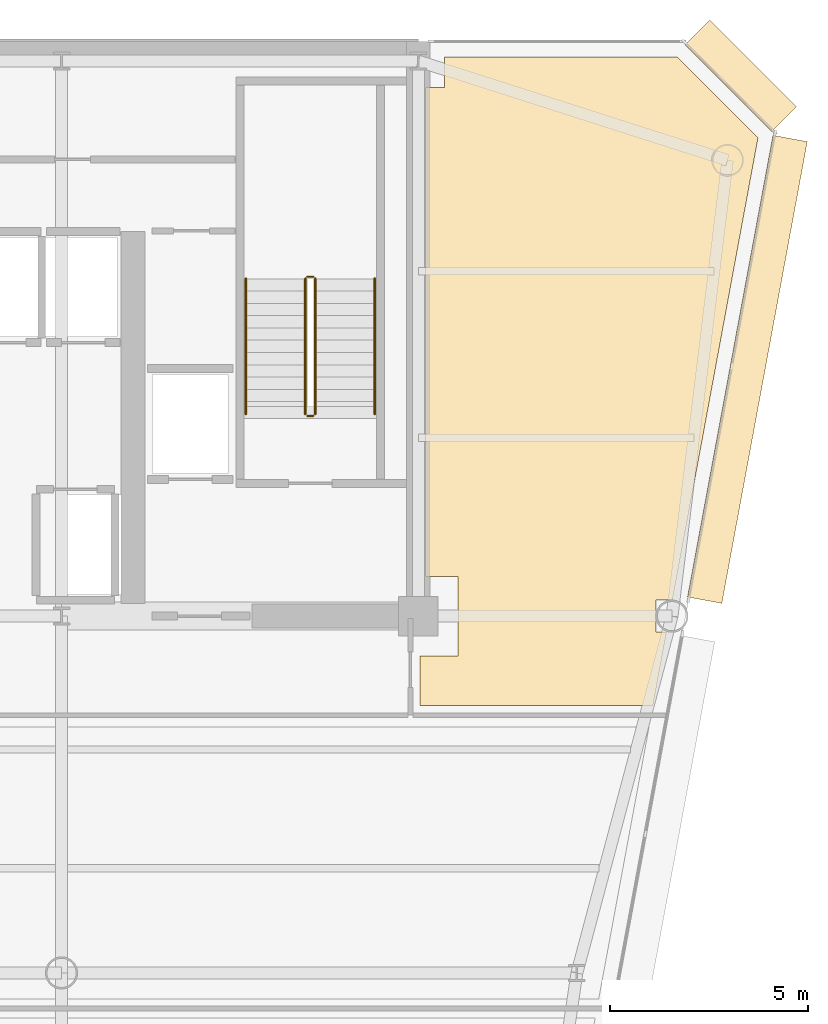
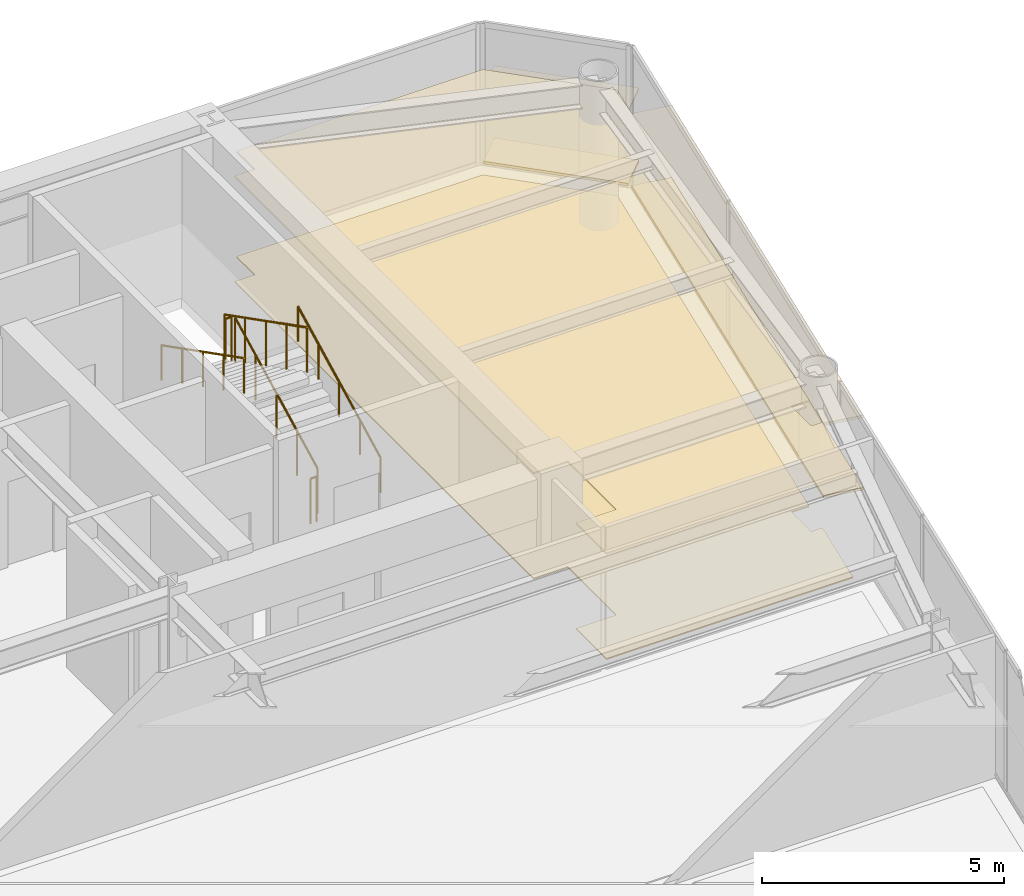
# One storey, part 16 of 16: 6 coverings, 6 railings.
"""IFC4 building model written with IfcOpenShell, lengths in metres."""

from ifc_helpers import new_model, si_unit, direction, frame, origin, origin_2d, place, context, subcontext, project, spatial, polyline, rectangle, circle, outline, extrude, source, transform, mapped, material, layer, layer_set, type_object, element, save


model = new_model("IFC4")

# Units and contexts
model_context = context("Model", 3, precision=1e-05, world=origin(), true_north=direction((0.0, 1.0)))
body_context = subcontext(model_context, "Body", "Model", "MODEL_VIEW")
ifc_project = project(units=[si_unit("LENGTHUNIT", "METRE"), si_unit("AREAUNIT", "SQUARE_METRE"), si_unit("VOLUMEUNIT", "CUBIC_METRE"), si_unit("PLANEANGLEUNIT", "RADIAN"), si_unit("MASSUNIT", "GRAM", prefix="KILO")], contexts=[model_context])

# Site, building, storey
site_placement = place(None, origin())
site = spatial("IfcSite", under=ifc_project, at=site_placement, CompositionType="ELEMENT")
building_placement = place(site_placement, origin())
building = spatial("IfcBuilding", under=site, at=building_placement, Name="Vaeldorn Concourse Tower", CompositionType="ELEMENT")
storey_placement = place(building_placement, frame((0.0, 0.0, 223.199951171875)))
storey = spatial("IfcBuildingStorey", under=building, at=storey_placement, Name="L57", CompositionType="ELEMENT", Elevation=223.199951171875)

# Coverings
ifc_material_1 = material(Name="Acoustic Mineral Fibre Board", Category="gypsum")
ifc_layer_1 = layer(ifc_material_1, 0.0400390625)
ifc_layer_set_1 = layer_set([ifc_layer_1], Name="Acoustic Mineral Fibre Board")
covering_type_1 = type_object("IfcCoveringType", Name="COV-CEIL-ACOUSTIC", PredefinedType="CEILING", material=ifc_layer_set_1)
covering_1_placement = place(storey_placement, frame((0.0, 0.0, 2.650146484375)))
element("IfcCovering", 1, at=covering_1_placement, inside=storey, type_object=covering_type_1, Name="Suspended Acoustic Ceiling L57-4", PredefinedType="CEILING", context=body_context, shape_type="SweptSolid", body=[
    extrude(outline(polyline([(54.179931640625, 49.840087890625), (54.659912109375, 49.840087890625), (54.659912109375, 50.60009765625), (60.5341796875, 50.60009765625), (62.568359375, 48.56591796875), (60.48828125, 37.320068359375), (60.48828125, 37.320068359375), (60.41162109375, 36.906494140625), (59.993408203125, 36.906494140625), (59.993408203125, 36.093505859375), (60.26123046875, 36.093505859375), (59.91845703125, 34.239990234375), (54.0400390625, 34.239990234375), (54.0400390625, 35.5), (55.0, 35.5), (55.0, 37.5), (54.179931640625, 37.5), (54.179931640625, 49.840087890625)])), origin(), (0.0, 0.0, 1.0), 0.039794921875),
])
ifc_material_2 = material(Name="Honed Limestone Terrazzo Flooring", Category="masonry")
ifc_layer_2 = layer(ifc_material_2, 0.0400390625)
ifc_layer_set_2 = layer_set([ifc_layer_2], Name="Honed Limestone Terrazzo Flooring")
covering_type_2 = type_object("IfcCoveringType", Name="COV-FLOOR-STONE", PredefinedType="FLOORING", material=ifc_layer_set_2)
covering_2_placement = place(storey_placement, origin())
element("IfcCovering", 2, at=covering_2_placement, inside=storey, type_object=covering_type_2, Name="Floor Finish Covering L57-4", PredefinedType="FLOORING", context=body_context, shape_type="SweptSolid", body=[
    extrude(outline(polyline([(54.179931640625, 49.840087890625), (54.659912109375, 49.840087890625), (54.659912109375, 50.60009765625), (60.5341796875, 50.60009765625), (62.568359375, 48.56591796875), (60.48828125, 37.320068359375), (60.48828125, 37.320068359375), (60.41162109375, 36.906494140625), (59.993408203125, 36.906494140625), (59.993408203125, 36.093505859375), (60.26123046875, 36.093505859375), (59.91845703125, 34.239990234375), (54.0400390625, 34.239990234375), (54.0400390625, 35.5), (55.0, 35.5), (55.0, 37.5), (54.179931640625, 37.5), (54.179931640625, 49.840087890625)])), origin(), (0.0, 0.0, 1.0), 0.030029296875),
])

# Railings
ifc_material_3 = material(Name="Anodised Bronze Aluminium", Category="aluminium")
railing_type_1 = type_object("IfcRailingType", Name="RL-STAIR-GUARD", PredefinedType="GUARDRAIL", material=ifc_material_3)
railing_1_placement = place(storey_placement, frame((51.39990234375, 41.60009765625, 0.158447265625)))
element("IfcRailing", 3, at=railing_1_placement, inside=storey, type_object=railing_type_1, Name="L57 ST-2 stair guard 1", PredefinedType="GUARDRAIL", context=body_context, shape_type="SweptSolid", body=[
    extrude(circle(Radius=0.02392578125, at=origin_2d()), frame((0.0, 0.0, 1.1259765625), z_axis=(0.0, 0.890555807335, 0.454873997962), x_axis=(-1.0, 0.0, 0.0)), (0.0, 0.0, 1.0), 3.828857421875),
    extrude(circle(Radius=0.02099609375, at=origin_2d()), origin(), (0.0, 0.0, 1.0), 1.101806640625),
    extrude(circle(Radius=0.02099609375, at=origin_2d()), frame((0.0, 0.8525390625, 0.435546875)), (0.0, 0.0, 1.0), 1.101806640625),
    extrude(circle(Radius=0.02099609375, at=origin_2d()), frame((0.0, 1.705078125, 0.870849609375)), (0.0, 0.0, 1.0), 1.101806640625),
    extrude(circle(Radius=0.02099609375, at=origin_2d()), frame((0.0, 2.557373046875, 1.30615234375)), (0.0, 0.0, 1.0), 1.101806640625),
    extrude(circle(Radius=0.02099609375, at=origin_2d()), frame((0.0, 3.409912109375, 1.74169921875)), (0.0, 0.0, 1.0), 1.101806640625),
])
railing_2_placement = place(storey_placement, frame((51.35009765625, 45.06005859375, 1.900146484375)))
element("IfcRailing", 4, at=railing_2_placement, inside=storey, type_object=railing_type_1, Name="L57 ST-2 stair guard 2", PredefinedType="GUARDRAIL", context=body_context, shape_type="SweptSolid", body=[
    extrude(circle(Radius=0.02392578125, at=origin_2d()), frame((0.0, 0.0, 1.1259765625), z_axis=(-1.0, 0.0, 0.0), x_axis=(0.0, -1.0, 0.0)), (0.0, 0.0, 1.0), 0.150146484375),
    extrude(circle(Radius=0.02099609375, at=origin_2d()), origin(), (0.0, 0.0, 1.0), 1.101806640625),
    extrude(circle(Radius=0.02099609375, at=origin_2d()), frame((-0.150146484375, 0.0, 0.0)), (0.0, 0.0, 1.0), 1.101806640625),
])
railing_3_placement = place(storey_placement, frame((51.14990234375, 45.010009765625, 2.058349609375)))
element("IfcRailing", 5, at=railing_3_placement, inside=storey, type_object=railing_type_1, Name="L57 ST-2 stair guard 3", PredefinedType="GUARDRAIL", context=body_context, shape_type="SweptSolid", body=[
    extrude(circle(Radius=0.02392578125, at=origin_2d()), frame((0.0, 0.0, 1.1259765625), z_axis=(0.0, -0.890555807335, 0.454873997962), x_axis=(1.0, 0.0, 0.0)), (0.0, 0.0, 1.0), 3.828857421875),
    extrude(circle(Radius=0.02099609375, at=origin_2d()), origin(), (0.0, 0.0, 1.0), 1.101806640625),
    extrude(circle(Radius=0.02099609375, at=origin_2d()), frame((0.0, -0.8525390625, 0.435546875)), (0.0, 0.0, 1.0), 1.101806640625),
    extrude(circle(Radius=0.02099609375, at=origin_2d()), frame((0.0, -1.705078125, 0.870849609375)), (0.0, 0.0, 1.0), 1.101806640625),
    extrude(circle(Radius=0.02099609375, at=origin_2d()), frame((0.0, -2.557373046875, 1.30615234375)), (0.0, 0.0, 1.0), 1.101806640625),
    extrude(circle(Radius=0.02099609375, at=origin_2d()), frame((0.0, -3.409912109375, 1.74169921875)), (0.0, 0.0, 1.0), 1.101806640625),
])
railing_4_placement = place(storey_placement, frame((51.35009765625, 41.550048828125, 0.0)))
element("IfcRailing", 6, at=railing_4_placement, inside=storey, type_object=railing_type_1, Name="L57 ST-2 stair guard 4", PredefinedType="GUARDRAIL", context=body_context, shape_type="SweptSolid", body=[
    extrude(circle(Radius=0.02392578125, at=origin_2d()), frame((0.0, 0.0, 1.1259765625), z_axis=(-1.0, 0.0, 0.0), x_axis=(0.0, -1.0, 0.0)), (0.0, 0.0, 1.0), 0.150146484375),
    extrude(circle(Radius=0.02099609375, at=origin_2d()), origin(), (0.0, 0.0, 1.0), 1.101806640625),
    extrude(circle(Radius=0.02099609375, at=origin_2d()), frame((-0.150146484375, 0.0, 0.0)), (0.0, 0.0, 1.0), 1.101806640625),
])
railing_type_2 = type_object("IfcRailingType", Name="RL-STAIR-HANDRAIL", PredefinedType="HANDRAIL", material=ifc_material_3)
railing_5_placement = place(storey_placement, frame((52.89990234375, 41.60009765625, 0.158447265625)))
element("IfcRailing", 7, at=railing_5_placement, inside=storey, type_object=railing_type_2, Name="L57 ST-2 stair handrail 1", PredefinedType="HANDRAIL", context=body_context, shape_type="SweptSolid", body=[
    extrude(circle(Radius=0.02392578125, at=origin_2d()), frame((0.0, 0.0, 0.8759765625), z_axis=(0.0, 0.890555807335, 0.454873997962), x_axis=(-1.0, 0.0, 0.0)), (0.0, 0.0, 1.0), 3.828857421875),
    extrude(circle(Radius=0.02099609375, at=origin_2d()), origin(), (0.0, 0.0, 1.0), 0.851806640625),
    extrude(circle(Radius=0.02099609375, at=origin_2d()), frame((0.0, 0.8525390625, 0.435546875)), (0.0, 0.0, 1.0), 0.851806640625),
    extrude(circle(Radius=0.02099609375, at=origin_2d()), frame((0.0, 1.705078125, 0.870849609375)), (0.0, 0.0, 1.0), 0.851806640625),
    extrude(circle(Radius=0.02099609375, at=origin_2d()), frame((0.0, 2.557373046875, 1.30615234375)), (0.0, 0.0, 1.0), 0.851806640625),
    extrude(circle(Radius=0.02099609375, at=origin_2d()), frame((0.0, 3.409912109375, 1.74169921875)), (0.0, 0.0, 1.0), 0.851806640625),
])
railing_6_placement = place(storey_placement, frame((49.64990234375, 45.010009765625, 2.058349609375)))
element("IfcRailing", 8, at=railing_6_placement, inside=storey, type_object=railing_type_2, Name="L57 ST-2 stair handrail 2", PredefinedType="HANDRAIL", context=body_context, shape_type="SweptSolid", body=[
    extrude(circle(Radius=0.02392578125, at=origin_2d()), frame((0.0, 0.0, 0.8759765625), z_axis=(0.0, -0.890555807335, 0.454873997962), x_axis=(1.0, 0.0, 0.0)), (0.0, 0.0, 1.0), 3.828857421875),
    extrude(circle(Radius=0.02099609375, at=origin_2d()), origin(), (0.0, 0.0, 1.0), 0.851806640625),
    extrude(circle(Radius=0.02099609375, at=origin_2d()), frame((0.0, -0.8525390625, 0.435546875)), (0.0, 0.0, 1.0), 0.851806640625),
    extrude(circle(Radius=0.02099609375, at=origin_2d()), frame((0.0, -1.705078125, 0.870849609375)), (0.0, 0.0, 1.0), 0.851806640625),
    extrude(circle(Radius=0.02099609375, at=origin_2d()), frame((0.0, -2.557373046875, 1.30615234375)), (0.0, 0.0, 1.0), 0.851806640625),
    extrude(circle(Radius=0.02099609375, at=origin_2d()), frame((0.0, -3.409912109375, 1.74169921875)), (0.0, 0.0, 1.0), 0.851806640625),
])

# Coverings
ifc_layer_3 = layer(ifc_material_3, 0.06494140625)
ifc_layer_set_3 = layer_set([ifc_layer_3], Name="Anodised Bronze Aluminium")
covering_type_3 = type_object("IfcCoveringType", Name="SD-BRONZE-SUNSHADE", PredefinedType="USERDEFINED", material=ifc_layer_set_3)
shared_shape_1 = source(origin(), body_context, "Body", "SweptSolid", [
    extrude(rectangle(XDim=3.0927734375, YDim=0.8798828125, at=origin_2d()), origin(), (0.0, 0.0, 1.0), 0.06494140625),
])
for number, where, z_axis, x_axis, name in (
    (9, (62.1328125, 50.1328125, 0.047607421875), (0.0, 0.0, 1.0), (-0.707106781187, 0.707106781187, 0.0), "Horizontal Bronze Sunshade L57-E08.1.1"),
    (10, (62.1328125, 50.1328125, 1.86767578125), (0.0, 0.0, 1.0), (-0.707106781187, 0.707106781187, 0.0), "Horizontal Bronze Sunshade L57-E08.1.2"),
):
    element("IfcCovering", number, at=place(storey_placement, frame(where, z_axis=z_axis, x_axis=x_axis)), inside=storey, type_object=covering_type_3, Name=name, ObjectType="SUNSHADE", PredefinedType="USERDEFINED", context=body_context, shape_type="MappedRepresentation", body=[
        mapped(shared_shape_1, transform((0.0, 0.0, 0.0), scale=1.0)),
    ])
shared_shape_2 = source(origin(), body_context, "Body", "SweptSolid", [
    extrude(rectangle(XDim=11.844482421875, YDim=0.8798828125, at=origin_2d()), origin(), (0.0, 0.0, 1.0), 0.06494140625),
])
for number, where, z_axis, x_axis, name in (
    (11, (62.301513671875, 42.72509765625, 0.047607421875), (0.0, 0.0, 1.0), (0.181892293686, 0.983318459858, 0.0), "Horizontal Bronze Sunshade L57-E07.2.1"),
    (12, (62.301513671875, 42.72509765625, 1.86767578125), (0.0, 0.0, 1.0), (0.181892293686, 0.983318459858, 0.0), "Horizontal Bronze Sunshade L57-E07.2.2"),
):
    element("IfcCovering", number, at=place(storey_placement, frame(where, z_axis=z_axis, x_axis=x_axis)), inside=storey, type_object=covering_type_3, Name=name, ObjectType="SUNSHADE", PredefinedType="USERDEFINED", context=body_context, shape_type="MappedRepresentation", body=[
        mapped(shared_shape_2, transform((0.0, 0.0, 0.0), scale=1.0)),
    ])

save(model, "model.ifc")
